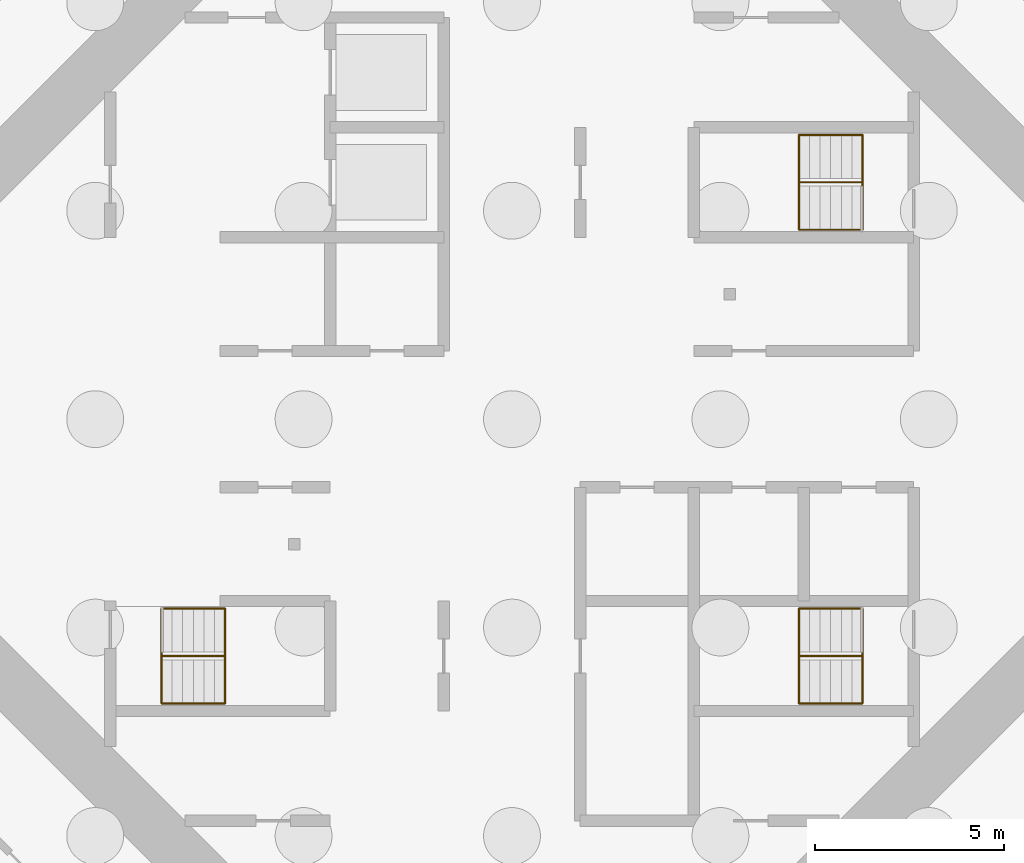
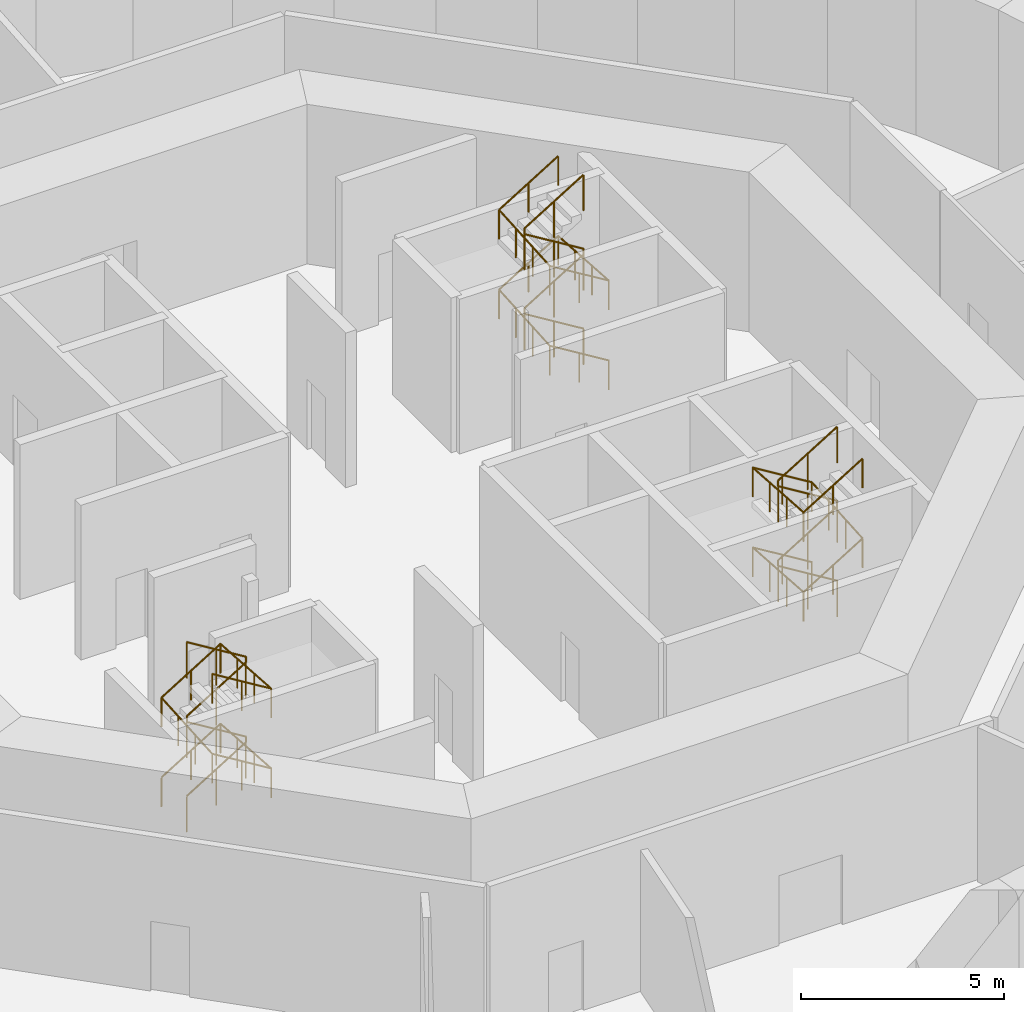
# One storey, part 7 of 8: 6 railings.
"""IFC4 building model written with IfcOpenShell, lengths in metres."""

from ifc_helpers import new_model, si_unit, direction, frame, origin, origin_2d, place, context, subcontext, project, spatial, circle, extrude, material, type_object, element, save


model = new_model("IFC4")

# Units and contexts
model_context = context("Model", 3, precision=1e-05, world=origin(), true_north=direction((0.0, 1.0)))
body_context = subcontext(model_context, "Body", "Model", "MODEL_VIEW")
ifc_project = project(units=[si_unit("LENGTHUNIT", "METRE"), si_unit("AREAUNIT", "SQUARE_METRE"), si_unit("VOLUMEUNIT", "CUBIC_METRE"), si_unit("PLANEANGLEUNIT", "RADIAN"), si_unit("MASSUNIT", "GRAM", prefix="KILO")], contexts=[model_context])

# Site, building, storey
site_placement = place(None, origin())
site = spatial("IfcSite", under=ifc_project, at=site_placement, CompositionType="ELEMENT")
building_placement = place(site_placement, origin())
building = spatial("IfcBuilding", under=site, at=building_placement, Name="Entoto Ring Tower", CompositionType="ELEMENT")
storey_placement = place(building_placement, frame((0.0, 0.0, -9.60009765625)))
storey = spatial("IfcBuildingStorey", under=building, at=storey_placement, Name="B2", CompositionType="ELEMENT", Elevation=-9.60009765625)

# Railings
ifc_material_1 = material(Name="Steel S275", Category="steel")
railing_type_1 = type_object("IfcRailingType", Name="Stair guard 1100 mm steel", PredefinedType="GUARDRAIL", material=ifc_material_1)
railing_1_placement = place(storey_placement, frame((99.25, 86.25, 0.171630859375)))
element("IfcRailing", 1, at=railing_1_placement, inside=storey, type_object=railing_type_1, Name="Guard ST1", PredefinedType="GUARDRAIL", context=body_context, shape_type="SweptSolid", body=[
    extrude(circle(Radius=0.02392578125, at=origin_2d()), frame((0.0, 0.0, 1.076171875), z_axis=(-0.852843419164, 0.0, 0.52216673811), x_axis=(0.0, -1.0, 0.0)), (0.0, 0.0, 1.0), 1.9697265625),
    extrude(circle(Radius=0.02392578125, at=origin_2d()), frame((-1.679931640625, 0.0, 2.1044921875), z_axis=(0.0, 0.0, 1.0), x_axis=(1.0, 0.0, 0.0)), (0.0, 0.0, 1.0), 0.17138671875),
    extrude(circle(Radius=0.02392578125, at=origin_2d()), frame((-1.679931640625, 0.0, 2.27587890625), z_axis=(0.852843419164, 0.0, 0.52216673811), x_axis=(0.0, 1.0, 0.0)), (0.0, 0.0, 1.0), 1.9697265625),
    extrude(circle(Radius=0.02392578125, at=origin_2d()), frame((0.0, 0.0, 3.3046875), z_axis=(0.0, 0.0, 1.0), x_axis=(1.0, 0.0, 0.0)), (0.0, 0.0, 1.0), 0.17138671875),
    extrude(circle(Radius=0.02392578125, at=origin_2d()), frame((0.0, 0.0, 3.47607421875), z_axis=(-0.852843419164, 0.0, 0.52216673811), x_axis=(0.0, -1.0, 0.0)), (0.0, 0.0, 1.0), 1.9697265625),
    extrude(circle(Radius=0.02392578125, at=origin_2d()), frame((-1.679931640625, 0.0, 4.50439453125), z_axis=(0.0, 0.0, 1.0), x_axis=(1.0, 0.0, 0.0)), (0.0, 0.0, 1.0), 0.17138671875),
    extrude(circle(Radius=0.02392578125, at=origin_2d()), frame((-1.679931640625, 0.0, 4.67578125), z_axis=(0.852843419164, 0.0, 0.52216673811), x_axis=(0.0, 1.0, 0.0)), (0.0, 0.0, 1.0), 1.9697265625),
    extrude(circle(Radius=0.02099609375, at=origin_2d()), origin(), (0.0, 0.0, 1.0), 1.052001953125),
    extrude(circle(Radius=0.02099609375, at=origin_2d()), frame((-0.83984375, 0.0, 0.51416015625)), (0.0, 0.0, 1.0), 1.052001953125),
    extrude(circle(Radius=0.02099609375, at=origin_2d()), frame((-1.679931640625, 0.0, 1.028564453125)), (0.0, 0.0, 1.0), 1.052001953125),
    extrude(circle(Radius=0.02099609375, at=origin_2d()), frame((-1.679931640625, 0.0, 1.199951171875)), (0.0, 0.0, 1.0), 1.052001953125),
    extrude(circle(Radius=0.02099609375, at=origin_2d()), frame((-0.83984375, 0.0, 1.71435546875)), (0.0, 0.0, 1.0), 1.052001953125),
    extrude(circle(Radius=0.02099609375, at=origin_2d()), frame((0.0, 0.0, 2.228515625)), (0.0, 0.0, 1.0), 1.052001953125),
    extrude(circle(Radius=0.02099609375, at=origin_2d()), frame((0.0, 0.0, 2.39990234375)), (0.0, 0.0, 1.0), 1.052001953125),
    extrude(circle(Radius=0.02099609375, at=origin_2d()), frame((-0.83984375, 0.0, 2.9140625)), (0.0, 0.0, 1.0), 1.052001953125),
    extrude(circle(Radius=0.02099609375, at=origin_2d()), frame((-1.679931640625, 0.0, 3.428466796875)), (0.0, 0.0, 1.0), 1.052001953125),
    extrude(circle(Radius=0.02099609375, at=origin_2d()), frame((-1.679931640625, 0.0, 3.599853515625)), (0.0, 0.0, 1.0), 1.052001953125),
    extrude(circle(Radius=0.02099609375, at=origin_2d()), frame((-0.83984375, 0.0, 4.1142578125)), (0.0, 0.0, 1.0), 1.052001953125),
    extrude(circle(Radius=0.02099609375, at=origin_2d()), frame((0.0, 0.0, 4.62841796875)), (0.0, 0.0, 1.0), 1.052001953125),
])
railing_2_placement = place(storey_placement, frame((80.75, 73.75, 0.171630859375)))
element("IfcRailing", 2, at=railing_2_placement, inside=storey, type_object=railing_type_1, Name="Guard ST2", PredefinedType="GUARDRAIL", context=body_context, shape_type="SweptSolid", body=[
    extrude(circle(Radius=0.02392578125, at=origin_2d()), frame((0.0, 0.0, 1.076171875), z_axis=(0.852843419164, 0.0, 0.52216673811), x_axis=(0.0, 1.0, 0.0)), (0.0, 0.0, 1.0), 1.9697265625),
    extrude(circle(Radius=0.02392578125, at=origin_2d()), frame((1.679931640625, 0.0, 2.1044921875), z_axis=(0.0, 0.0, 1.0), x_axis=(1.0, 0.0, 0.0)), (0.0, 0.0, 1.0), 0.17138671875),
    extrude(circle(Radius=0.02392578125, at=origin_2d()), frame((1.679931640625, 0.0, 2.27587890625), z_axis=(-0.852843419164, 0.0, 0.52216673811), x_axis=(0.0, -1.0, 0.0)), (0.0, 0.0, 1.0), 1.9697265625),
    extrude(circle(Radius=0.02392578125, at=origin_2d()), frame((0.0, 0.0, 3.3046875), z_axis=(0.0, 0.0, 1.0), x_axis=(1.0, 0.0, 0.0)), (0.0, 0.0, 1.0), 0.17138671875),
    extrude(circle(Radius=0.02392578125, at=origin_2d()), frame((0.0, 0.0, 3.47607421875), z_axis=(0.852843419164, 0.0, 0.52216673811), x_axis=(0.0, 1.0, 0.0)), (0.0, 0.0, 1.0), 1.9697265625),
    extrude(circle(Radius=0.02392578125, at=origin_2d()), frame((1.679931640625, 0.0, 4.50439453125), z_axis=(0.0, 0.0, 1.0), x_axis=(1.0, 0.0, 0.0)), (0.0, 0.0, 1.0), 0.17138671875),
    extrude(circle(Radius=0.02392578125, at=origin_2d()), frame((1.679931640625, 0.0, 4.67578125), z_axis=(-0.852843419164, 0.0, 0.52216673811), x_axis=(0.0, -1.0, 0.0)), (0.0, 0.0, 1.0), 1.9697265625),
    extrude(circle(Radius=0.02099609375, at=origin_2d()), origin(), (0.0, 0.0, 1.0), 1.052001953125),
    extrude(circle(Radius=0.02099609375, at=origin_2d()), frame((0.83984375, 0.0, 0.51416015625)), (0.0, 0.0, 1.0), 1.052001953125),
    extrude(circle(Radius=0.02099609375, at=origin_2d()), frame((1.679931640625, 0.0, 1.028564453125)), (0.0, 0.0, 1.0), 1.052001953125),
    extrude(circle(Radius=0.02099609375, at=origin_2d()), frame((1.679931640625, 0.0, 1.199951171875)), (0.0, 0.0, 1.0), 1.052001953125),
    extrude(circle(Radius=0.02099609375, at=origin_2d()), frame((0.83984375, 0.0, 1.71435546875)), (0.0, 0.0, 1.0), 1.052001953125),
    extrude(circle(Radius=0.02099609375, at=origin_2d()), frame((0.0, 0.0, 2.228515625)), (0.0, 0.0, 1.0), 1.052001953125),
    extrude(circle(Radius=0.02099609375, at=origin_2d()), frame((0.0, 0.0, 2.39990234375)), (0.0, 0.0, 1.0), 1.052001953125),
    extrude(circle(Radius=0.02099609375, at=origin_2d()), frame((0.83984375, 0.0, 2.9140625)), (0.0, 0.0, 1.0), 1.052001953125),
    extrude(circle(Radius=0.02099609375, at=origin_2d()), frame((1.679931640625, 0.0, 3.428466796875)), (0.0, 0.0, 1.0), 1.052001953125),
    extrude(circle(Radius=0.02099609375, at=origin_2d()), frame((1.679931640625, 0.0, 3.599853515625)), (0.0, 0.0, 1.0), 1.052001953125),
    extrude(circle(Radius=0.02099609375, at=origin_2d()), frame((0.83984375, 0.0, 4.1142578125)), (0.0, 0.0, 1.0), 1.052001953125),
    extrude(circle(Radius=0.02099609375, at=origin_2d()), frame((0.0, 0.0, 4.62841796875)), (0.0, 0.0, 1.0), 1.052001953125),
])
railing_3_placement = place(storey_placement, frame((99.25, 73.75, 0.171630859375)))
element("IfcRailing", 3, at=railing_3_placement, inside=storey, type_object=railing_type_1, Name="Guard ST3", PredefinedType="GUARDRAIL", context=body_context, shape_type="SweptSolid", body=[
    extrude(circle(Radius=0.02392578125, at=origin_2d()), frame((0.0, 0.0, 1.076171875), z_axis=(-0.852843419164, 0.0, 0.52216673811), x_axis=(0.0, -1.0, 0.0)), (0.0, 0.0, 1.0), 1.9697265625),
    extrude(circle(Radius=0.02392578125, at=origin_2d()), frame((-1.679931640625, 0.0, 2.1044921875), z_axis=(0.0, 0.0, 1.0), x_axis=(1.0, 0.0, 0.0)), (0.0, 0.0, 1.0), 0.17138671875),
    extrude(circle(Radius=0.02392578125, at=origin_2d()), frame((-1.679931640625, 0.0, 2.27587890625), z_axis=(0.852843419164, 0.0, 0.52216673811), x_axis=(0.0, 1.0, 0.0)), (0.0, 0.0, 1.0), 1.9697265625),
    extrude(circle(Radius=0.02392578125, at=origin_2d()), frame((0.0, 0.0, 3.3046875), z_axis=(0.0, 0.0, 1.0), x_axis=(1.0, 0.0, 0.0)), (0.0, 0.0, 1.0), 0.17138671875),
    extrude(circle(Radius=0.02392578125, at=origin_2d()), frame((0.0, 0.0, 3.47607421875), z_axis=(-0.852843419164, 0.0, 0.52216673811), x_axis=(0.0, -1.0, 0.0)), (0.0, 0.0, 1.0), 1.9697265625),
    extrude(circle(Radius=0.02392578125, at=origin_2d()), frame((-1.679931640625, 0.0, 4.50439453125), z_axis=(0.0, 0.0, 1.0), x_axis=(1.0, 0.0, 0.0)), (0.0, 0.0, 1.0), 0.17138671875),
    extrude(circle(Radius=0.02392578125, at=origin_2d()), frame((-1.679931640625, 0.0, 4.67578125), z_axis=(0.852843419164, 0.0, 0.52216673811), x_axis=(0.0, 1.0, 0.0)), (0.0, 0.0, 1.0), 1.9697265625),
    extrude(circle(Radius=0.02099609375, at=origin_2d()), origin(), (0.0, 0.0, 1.0), 1.052001953125),
    extrude(circle(Radius=0.02099609375, at=origin_2d()), frame((-0.83984375, 0.0, 0.51416015625)), (0.0, 0.0, 1.0), 1.052001953125),
    extrude(circle(Radius=0.02099609375, at=origin_2d()), frame((-1.679931640625, 0.0, 1.028564453125)), (0.0, 0.0, 1.0), 1.052001953125),
    extrude(circle(Radius=0.02099609375, at=origin_2d()), frame((-1.679931640625, 0.0, 1.199951171875)), (0.0, 0.0, 1.0), 1.052001953125),
    extrude(circle(Radius=0.02099609375, at=origin_2d()), frame((-0.83984375, 0.0, 1.71435546875)), (0.0, 0.0, 1.0), 1.052001953125),
    extrude(circle(Radius=0.02099609375, at=origin_2d()), frame((0.0, 0.0, 2.228515625)), (0.0, 0.0, 1.0), 1.052001953125),
    extrude(circle(Radius=0.02099609375, at=origin_2d()), frame((0.0, 0.0, 2.39990234375)), (0.0, 0.0, 1.0), 1.052001953125),
    extrude(circle(Radius=0.02099609375, at=origin_2d()), frame((-0.83984375, 0.0, 2.9140625)), (0.0, 0.0, 1.0), 1.052001953125),
    extrude(circle(Radius=0.02099609375, at=origin_2d()), frame((-1.679931640625, 0.0, 3.428466796875)), (0.0, 0.0, 1.0), 1.052001953125),
    extrude(circle(Radius=0.02099609375, at=origin_2d()), frame((-1.679931640625, 0.0, 3.599853515625)), (0.0, 0.0, 1.0), 1.052001953125),
    extrude(circle(Radius=0.02099609375, at=origin_2d()), frame((-0.83984375, 0.0, 4.1142578125)), (0.0, 0.0, 1.0), 1.052001953125),
    extrude(circle(Radius=0.02099609375, at=origin_2d()), frame((0.0, 0.0, 4.62841796875)), (0.0, 0.0, 1.0), 1.052001953125),
])
ifc_material_2 = material(Name="Steel S275", Category="steel")
railing_type_2 = type_object("IfcRailingType", Name="Stair handrail 900 mm steel", PredefinedType="HANDRAIL", material=ifc_material_2)
railing_4_placement = place(storey_placement, frame((99.25, 85.0, 0.171630859375)))
element("IfcRailing", 4, at=railing_4_placement, inside=storey, type_object=railing_type_2, Name="Handrail ST1", PredefinedType="HANDRAIL", context=body_context, shape_type="SweptSolid", body=[
    extrude(circle(Radius=0.02392578125, at=origin_2d()), frame((0.0, 0.0, 0.8759765625), z_axis=(-0.852843419164, 0.0, 0.52216673811), x_axis=(0.0, -1.0, 0.0)), (0.0, 0.0, 1.0), 1.9697265625),
    extrude(circle(Radius=0.02392578125, at=origin_2d()), frame((-1.679931640625, 0.0, 1.904296875), z_axis=(0.0, 0.997658377956, 0.068394158333), x_axis=(-1.0, 0.0, 0.0)), (0.0, 0.0, 1.0), 2.505859375),
    extrude(circle(Radius=0.02392578125, at=origin_2d()), frame((-1.679931640625, 2.5, 2.07568359375), z_axis=(0.852843419164, 0.0, 0.52216673811), x_axis=(0.0, 1.0, 0.0)), (0.0, 0.0, 1.0), 1.9697265625),
    extrude(circle(Radius=0.02392578125, at=origin_2d()), frame((0.0, 2.5, 3.1044921875), z_axis=(0.0, -0.997658377956, 0.068394158333), x_axis=(1.0, 0.0, 0.0)), (0.0, 0.0, 1.0), 2.505859375),
    extrude(circle(Radius=0.02392578125, at=origin_2d()), frame((0.0, 0.0, 3.27587890625), z_axis=(-0.852843419164, 0.0, 0.52216673811), x_axis=(0.0, -1.0, 0.0)), (0.0, 0.0, 1.0), 1.9697265625),
    extrude(circle(Radius=0.02392578125, at=origin_2d()), frame((-1.679931640625, 0.0, 4.30419921875), z_axis=(0.0, 0.997658377956, 0.068394158333), x_axis=(-1.0, 0.0, 0.0)), (0.0, 0.0, 1.0), 2.505859375),
    extrude(circle(Radius=0.02392578125, at=origin_2d()), frame((-1.679931640625, 2.5, 4.4755859375), z_axis=(0.852843419164, 0.0, 0.52216673811), x_axis=(0.0, 1.0, 0.0)), (0.0, 0.0, 1.0), 1.9697265625),
    extrude(circle(Radius=0.02099609375, at=origin_2d()), origin(), (0.0, 0.0, 1.0), 0.851806640625),
    extrude(circle(Radius=0.02099609375, at=origin_2d()), frame((-0.83984375, 0.0, 0.51416015625)), (0.0, 0.0, 1.0), 0.851806640625),
    extrude(circle(Radius=0.02099609375, at=origin_2d()), frame((-1.679931640625, 0.0, 1.028564453125)), (0.0, 0.0, 1.0), 0.851806640625),
    extrude(circle(Radius=0.02099609375, at=origin_2d()), frame((-1.679931640625, 0.833251953125, 1.085693359375)), (0.0, 0.0, 1.0), 0.851806640625),
    extrude(circle(Radius=0.02099609375, at=origin_2d()), frame((-1.679931640625, 1.666748046875, 1.142822265625)), (0.0, 0.0, 1.0), 0.851806640625),
    extrude(circle(Radius=0.02099609375, at=origin_2d()), frame((-1.679931640625, 2.5, 1.199951171875)), (0.0, 0.0, 1.0), 0.851806640625),
    extrude(circle(Radius=0.02099609375, at=origin_2d()), frame((-0.83984375, 2.5, 1.71435546875)), (0.0, 0.0, 1.0), 0.851806640625),
    extrude(circle(Radius=0.02099609375, at=origin_2d()), frame((0.0, 2.5, 2.228515625)), (0.0, 0.0, 1.0), 0.851806640625),
    extrude(circle(Radius=0.02099609375, at=origin_2d()), frame((0.0, 1.666748046875, 2.28564453125)), (0.0, 0.0, 1.0), 0.851806640625),
    extrude(circle(Radius=0.02099609375, at=origin_2d()), frame((0.0, 0.833251953125, 2.3427734375)), (0.0, 0.0, 1.0), 0.851806640625),
    extrude(circle(Radius=0.02099609375, at=origin_2d()), frame((0.0, 0.0, 2.39990234375)), (0.0, 0.0, 1.0), 0.851806640625),
    extrude(circle(Radius=0.02099609375, at=origin_2d()), frame((-0.83984375, 0.0, 2.9140625)), (0.0, 0.0, 1.0), 0.851806640625),
    extrude(circle(Radius=0.02099609375, at=origin_2d()), frame((-1.679931640625, 0.0, 3.428466796875)), (0.0, 0.0, 1.0), 0.851806640625),
    extrude(circle(Radius=0.02099609375, at=origin_2d()), frame((-1.679931640625, 0.833251953125, 3.485595703125)), (0.0, 0.0, 1.0), 0.851806640625),
    extrude(circle(Radius=0.02099609375, at=origin_2d()), frame((-1.679931640625, 1.666748046875, 3.542724609375)), (0.0, 0.0, 1.0), 0.851806640625),
    extrude(circle(Radius=0.02099609375, at=origin_2d()), frame((-1.679931640625, 2.5, 3.599853515625)), (0.0, 0.0, 1.0), 0.851806640625),
    extrude(circle(Radius=0.02099609375, at=origin_2d()), frame((-0.83984375, 2.5, 4.1142578125)), (0.0, 0.0, 1.0), 0.851806640625),
    extrude(circle(Radius=0.02099609375, at=origin_2d()), frame((0.0, 2.5, 4.62841796875)), (0.0, 0.0, 1.0), 0.851806640625),
])
railing_5_placement = place(storey_placement, frame((80.75, 75.0, 0.171630859375)))
element("IfcRailing", 5, at=railing_5_placement, inside=storey, type_object=railing_type_2, Name="Handrail ST2", PredefinedType="HANDRAIL", context=body_context, shape_type="SweptSolid", body=[
    extrude(circle(Radius=0.02392578125, at=origin_2d()), frame((0.0, 0.0, 0.8759765625), z_axis=(0.852843419164, 0.0, 0.52216673811), x_axis=(0.0, 1.0, 0.0)), (0.0, 0.0, 1.0), 1.9697265625),
    extrude(circle(Radius=0.02392578125, at=origin_2d()), frame((1.679931640625, 0.0, 1.904296875), z_axis=(0.0, -0.997658377956, 0.068394158333), x_axis=(1.0, 0.0, 0.0)), (0.0, 0.0, 1.0), 2.505859375),
    extrude(circle(Radius=0.02392578125, at=origin_2d()), frame((1.679931640625, -2.5, 2.07568359375), z_axis=(-0.852843419164, 0.0, 0.52216673811), x_axis=(0.0, -1.0, 0.0)), (0.0, 0.0, 1.0), 1.9697265625),
    extrude(circle(Radius=0.02392578125, at=origin_2d()), frame((0.0, -2.5, 3.1044921875), z_axis=(0.0, 0.997658377956, 0.068394158333), x_axis=(-1.0, 0.0, 0.0)), (0.0, 0.0, 1.0), 2.505859375),
    extrude(circle(Radius=0.02392578125, at=origin_2d()), frame((0.0, 0.0, 3.27587890625), z_axis=(0.852843419164, 0.0, 0.52216673811), x_axis=(0.0, 1.0, 0.0)), (0.0, 0.0, 1.0), 1.9697265625),
    extrude(circle(Radius=0.02392578125, at=origin_2d()), frame((1.679931640625, 0.0, 4.30419921875), z_axis=(0.0, -0.997658377956, 0.068394158333), x_axis=(1.0, 0.0, 0.0)), (0.0, 0.0, 1.0), 2.505859375),
    extrude(circle(Radius=0.02392578125, at=origin_2d()), frame((1.679931640625, -2.5, 4.4755859375), z_axis=(-0.852843419164, 0.0, 0.52216673811), x_axis=(0.0, -1.0, 0.0)), (0.0, 0.0, 1.0), 1.9697265625),
    extrude(circle(Radius=0.02099609375, at=origin_2d()), origin(), (0.0, 0.0, 1.0), 0.851806640625),
    extrude(circle(Radius=0.02099609375, at=origin_2d()), frame((0.83984375, 0.0, 0.51416015625)), (0.0, 0.0, 1.0), 0.851806640625),
    extrude(circle(Radius=0.02099609375, at=origin_2d()), frame((1.679931640625, 0.0, 1.028564453125)), (0.0, 0.0, 1.0), 0.851806640625),
    extrude(circle(Radius=0.02099609375, at=origin_2d()), frame((1.679931640625, -0.833251953125, 1.085693359375)), (0.0, 0.0, 1.0), 0.851806640625),
    extrude(circle(Radius=0.02099609375, at=origin_2d()), frame((1.679931640625, -1.666748046875, 1.142822265625)), (0.0, 0.0, 1.0), 0.851806640625),
    extrude(circle(Radius=0.02099609375, at=origin_2d()), frame((1.679931640625, -2.5, 1.199951171875)), (0.0, 0.0, 1.0), 0.851806640625),
    extrude(circle(Radius=0.02099609375, at=origin_2d()), frame((0.83984375, -2.5, 1.71435546875)), (0.0, 0.0, 1.0), 0.851806640625),
    extrude(circle(Radius=0.02099609375, at=origin_2d()), frame((0.0, -2.5, 2.228515625)), (0.0, 0.0, 1.0), 0.851806640625),
    extrude(circle(Radius=0.02099609375, at=origin_2d()), frame((0.0, -1.666748046875, 2.28564453125)), (0.0, 0.0, 1.0), 0.851806640625),
    extrude(circle(Radius=0.02099609375, at=origin_2d()), frame((0.0, -0.833251953125, 2.3427734375)), (0.0, 0.0, 1.0), 0.851806640625),
    extrude(circle(Radius=0.02099609375, at=origin_2d()), frame((0.0, 0.0, 2.39990234375)), (0.0, 0.0, 1.0), 0.851806640625),
    extrude(circle(Radius=0.02099609375, at=origin_2d()), frame((0.83984375, 0.0, 2.9140625)), (0.0, 0.0, 1.0), 0.851806640625),
    extrude(circle(Radius=0.02099609375, at=origin_2d()), frame((1.679931640625, 0.0, 3.428466796875)), (0.0, 0.0, 1.0), 0.851806640625),
    extrude(circle(Radius=0.02099609375, at=origin_2d()), frame((1.679931640625, -0.833251953125, 3.485595703125)), (0.0, 0.0, 1.0), 0.851806640625),
    extrude(circle(Radius=0.02099609375, at=origin_2d()), frame((1.679931640625, -1.666748046875, 3.542724609375)), (0.0, 0.0, 1.0), 0.851806640625),
    extrude(circle(Radius=0.02099609375, at=origin_2d()), frame((1.679931640625, -2.5, 3.599853515625)), (0.0, 0.0, 1.0), 0.851806640625),
    extrude(circle(Radius=0.02099609375, at=origin_2d()), frame((0.83984375, -2.5, 4.1142578125)), (0.0, 0.0, 1.0), 0.851806640625),
    extrude(circle(Radius=0.02099609375, at=origin_2d()), frame((0.0, -2.5, 4.62841796875)), (0.0, 0.0, 1.0), 0.851806640625),
])
railing_6_placement = place(storey_placement, frame((99.25, 75.0, 0.171630859375)))
element("IfcRailing", 6, at=railing_6_placement, inside=storey, type_object=railing_type_2, Name="Handrail ST3", PredefinedType="HANDRAIL", context=body_context, shape_type="SweptSolid", body=[
    extrude(circle(Radius=0.02392578125, at=origin_2d()), frame((0.0, 0.0, 0.8759765625), z_axis=(-0.852843419164, 0.0, 0.52216673811), x_axis=(0.0, -1.0, 0.0)), (0.0, 0.0, 1.0), 1.9697265625),
    extrude(circle(Radius=0.02392578125, at=origin_2d()), frame((-1.679931640625, 0.0, 1.904296875), z_axis=(0.0, -0.997658377956, 0.068394158333), x_axis=(1.0, 0.0, 0.0)), (0.0, 0.0, 1.0), 2.505859375),
    extrude(circle(Radius=0.02392578125, at=origin_2d()), frame((-1.679931640625, -2.5, 2.07568359375), z_axis=(0.852843419164, 0.0, 0.52216673811), x_axis=(0.0, 1.0, 0.0)), (0.0, 0.0, 1.0), 1.9697265625),
    extrude(circle(Radius=0.02392578125, at=origin_2d()), frame((0.0, -2.5, 3.1044921875), z_axis=(0.0, 0.997658377956, 0.068394158333), x_axis=(-1.0, 0.0, 0.0)), (0.0, 0.0, 1.0), 2.505859375),
    extrude(circle(Radius=0.02392578125, at=origin_2d()), frame((0.0, 0.0, 3.27587890625), z_axis=(-0.852843419164, 0.0, 0.52216673811), x_axis=(0.0, -1.0, 0.0)), (0.0, 0.0, 1.0), 1.9697265625),
    extrude(circle(Radius=0.02392578125, at=origin_2d()), frame((-1.679931640625, 0.0, 4.30419921875), z_axis=(0.0, -0.997658377956, 0.068394158333), x_axis=(1.0, 0.0, 0.0)), (0.0, 0.0, 1.0), 2.505859375),
    extrude(circle(Radius=0.02392578125, at=origin_2d()), frame((-1.679931640625, -2.5, 4.4755859375), z_axis=(0.852843419164, 0.0, 0.52216673811), x_axis=(0.0, 1.0, 0.0)), (0.0, 0.0, 1.0), 1.9697265625),
    extrude(circle(Radius=0.02099609375, at=origin_2d()), origin(), (0.0, 0.0, 1.0), 0.851806640625),
    extrude(circle(Radius=0.02099609375, at=origin_2d()), frame((-0.83984375, 0.0, 0.51416015625)), (0.0, 0.0, 1.0), 0.851806640625),
    extrude(circle(Radius=0.02099609375, at=origin_2d()), frame((-1.679931640625, 0.0, 1.028564453125)), (0.0, 0.0, 1.0), 0.851806640625),
    extrude(circle(Radius=0.02099609375, at=origin_2d()), frame((-1.679931640625, -0.833251953125, 1.085693359375)), (0.0, 0.0, 1.0), 0.851806640625),
    extrude(circle(Radius=0.02099609375, at=origin_2d()), frame((-1.679931640625, -1.666748046875, 1.142822265625)), (0.0, 0.0, 1.0), 0.851806640625),
    extrude(circle(Radius=0.02099609375, at=origin_2d()), frame((-1.679931640625, -2.5, 1.199951171875)), (0.0, 0.0, 1.0), 0.851806640625),
    extrude(circle(Radius=0.02099609375, at=origin_2d()), frame((-0.83984375, -2.5, 1.71435546875)), (0.0, 0.0, 1.0), 0.851806640625),
    extrude(circle(Radius=0.02099609375, at=origin_2d()), frame((0.0, -2.5, 2.228515625)), (0.0, 0.0, 1.0), 0.851806640625),
    extrude(circle(Radius=0.02099609375, at=origin_2d()), frame((0.0, -1.666748046875, 2.28564453125)), (0.0, 0.0, 1.0), 0.851806640625),
    extrude(circle(Radius=0.02099609375, at=origin_2d()), frame((0.0, -0.833251953125, 2.3427734375)), (0.0, 0.0, 1.0), 0.851806640625),
    extrude(circle(Radius=0.02099609375, at=origin_2d()), frame((0.0, 0.0, 2.39990234375)), (0.0, 0.0, 1.0), 0.851806640625),
    extrude(circle(Radius=0.02099609375, at=origin_2d()), frame((-0.83984375, 0.0, 2.9140625)), (0.0, 0.0, 1.0), 0.851806640625),
    extrude(circle(Radius=0.02099609375, at=origin_2d()), frame((-1.679931640625, 0.0, 3.428466796875)), (0.0, 0.0, 1.0), 0.851806640625),
    extrude(circle(Radius=0.02099609375, at=origin_2d()), frame((-1.679931640625, -0.833251953125, 3.485595703125)), (0.0, 0.0, 1.0), 0.851806640625),
    extrude(circle(Radius=0.02099609375, at=origin_2d()), frame((-1.679931640625, -1.666748046875, 3.542724609375)), (0.0, 0.0, 1.0), 0.851806640625),
    extrude(circle(Radius=0.02099609375, at=origin_2d()), frame((-1.679931640625, -2.5, 3.599853515625)), (0.0, 0.0, 1.0), 0.851806640625),
    extrude(circle(Radius=0.02099609375, at=origin_2d()), frame((-0.83984375, -2.5, 4.1142578125)), (0.0, 0.0, 1.0), 0.851806640625),
    extrude(circle(Radius=0.02099609375, at=origin_2d()), frame((0.0, -2.5, 4.62841796875)), (0.0, 0.0, 1.0), 0.851806640625),
])

save(model, "model.ifc")
